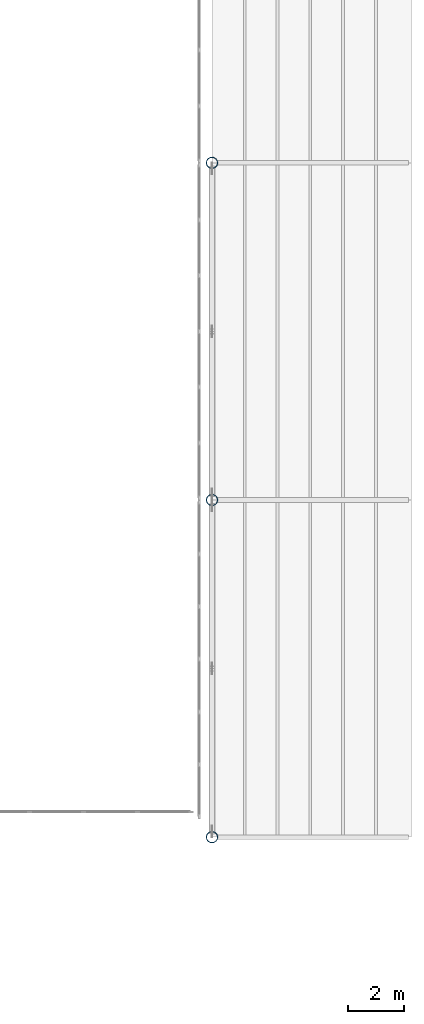
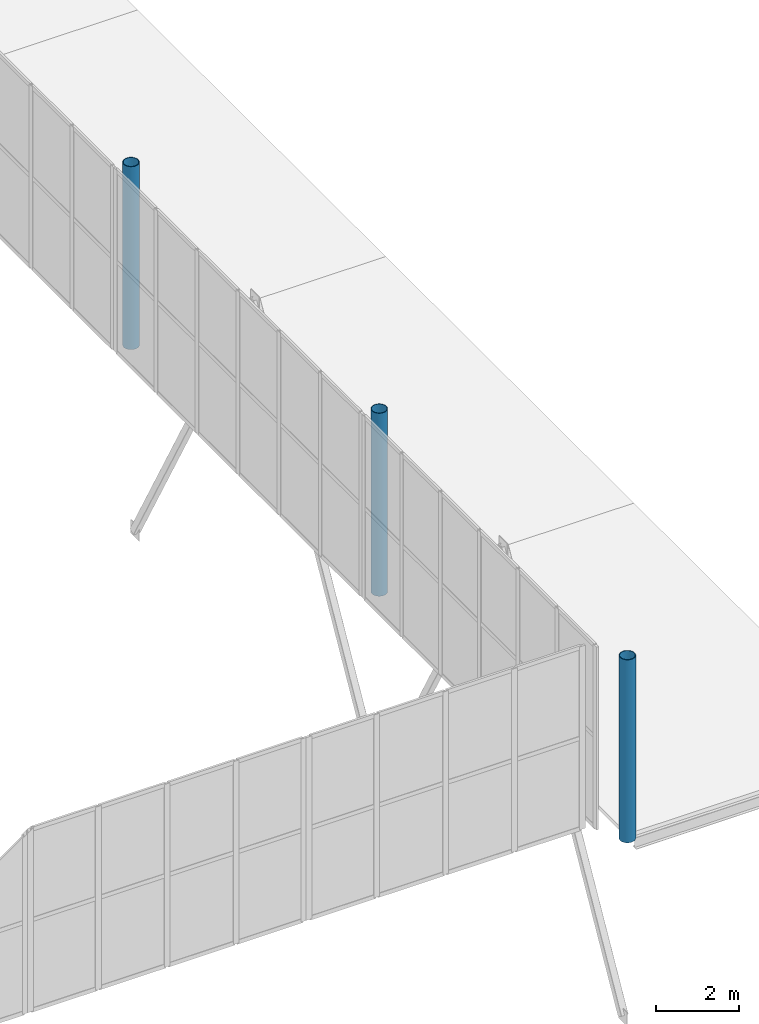
# One storey, part 15 of 170: 3 columns.
"""IFC4 building model written with IfcOpenShell, lengths in metres."""

from ifc_helpers import new_model, si_unit, direction, frame, origin, origin_2d, place, context, subcontext, project, spatial, hollow_circle, extrude, material, material_profile, profile_set, type_object, element, save


model = new_model("IFC4")

# Units and contexts
model_context = context("Model", 3, precision=1e-05, world=origin(), true_north=direction((0.0, 1.0)))
body_context = subcontext(model_context, "Body", "Model", "MODEL_VIEW")
ifc_project = project(units=[si_unit("LENGTHUNIT", "METRE"), si_unit("AREAUNIT", "SQUARE_METRE"), si_unit("VOLUMEUNIT", "CUBIC_METRE"), si_unit("PLANEANGLEUNIT", "RADIAN"), si_unit("MASSUNIT", "GRAM", prefix="KILO")], contexts=[model_context])

# Site, building, storey
site_placement = place(None, origin())
site = spatial("IfcSite", under=ifc_project, at=site_placement, CompositionType="ELEMENT")
building_placement = place(site_placement, origin())
building = spatial("IfcBuilding", under=site, at=building_placement, Name="Ravi Spectrum Wholesale Market", CompositionType="ELEMENT")
storey_placement = place(building_placement, frame((0.0, 0.0, 5.39990234375)))
storey = spatial("IfcBuildingStorey", under=building, at=storey_placement, Name="L01", CompositionType="ELEMENT", Elevation=5.39990234375)

# Columns
ifc_material = material(Name="Steel S355", Category="steel")
ifc_material_profile = material_profile(ifc_material, hollow_circle(Radius=0.203125, WallThickness=0.01611328125, at=origin_2d()))
ifc_profile_set = profile_set([ifc_material_profile], Name="Steel S355")
column_type = type_object("IfcColumnType", Name="CHS 406.4x16 column", PredefinedType="COLUMN", material=ifc_profile_set)
for number, where, z_axis, x_axis, name in (
    (1, (198.0, 78.0, 0.0), (0.0, 0.0, 1.0), (1.0, 0.0, 0.0), "H2-COL-L01-006"),
    (2, (198.0, 90.0, 0.0), (0.0, 0.0, 1.0), (1.0, 0.0, 0.0), "H2-COL-L01-007"),
    (3, (198.0, 102.0, 0.0), (0.0, 0.0, 1.0), (1.0, 0.0, 0.0), "H2-COL-L01-008"),
):
    element("IfcColumn", number, at=place(storey_placement, frame(where, z_axis=z_axis, x_axis=x_axis)), inside=storey, type_object=column_type, Name=name, PredefinedType="COLUMN", context=body_context, shape_type="SweptSolid", body=[
        extrude(hollow_circle(Radius=0.203125, WallThickness=0.01611328125, at=origin_2d()), origin(), (0.0, 0.0, 1.0), 5.400146484375),
    ])

save(model, "model.ifc")
